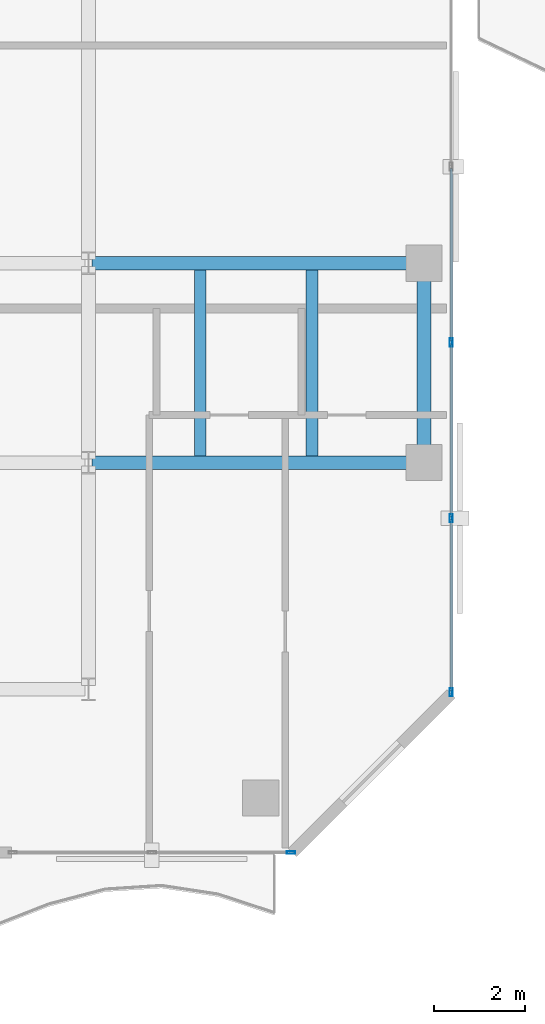
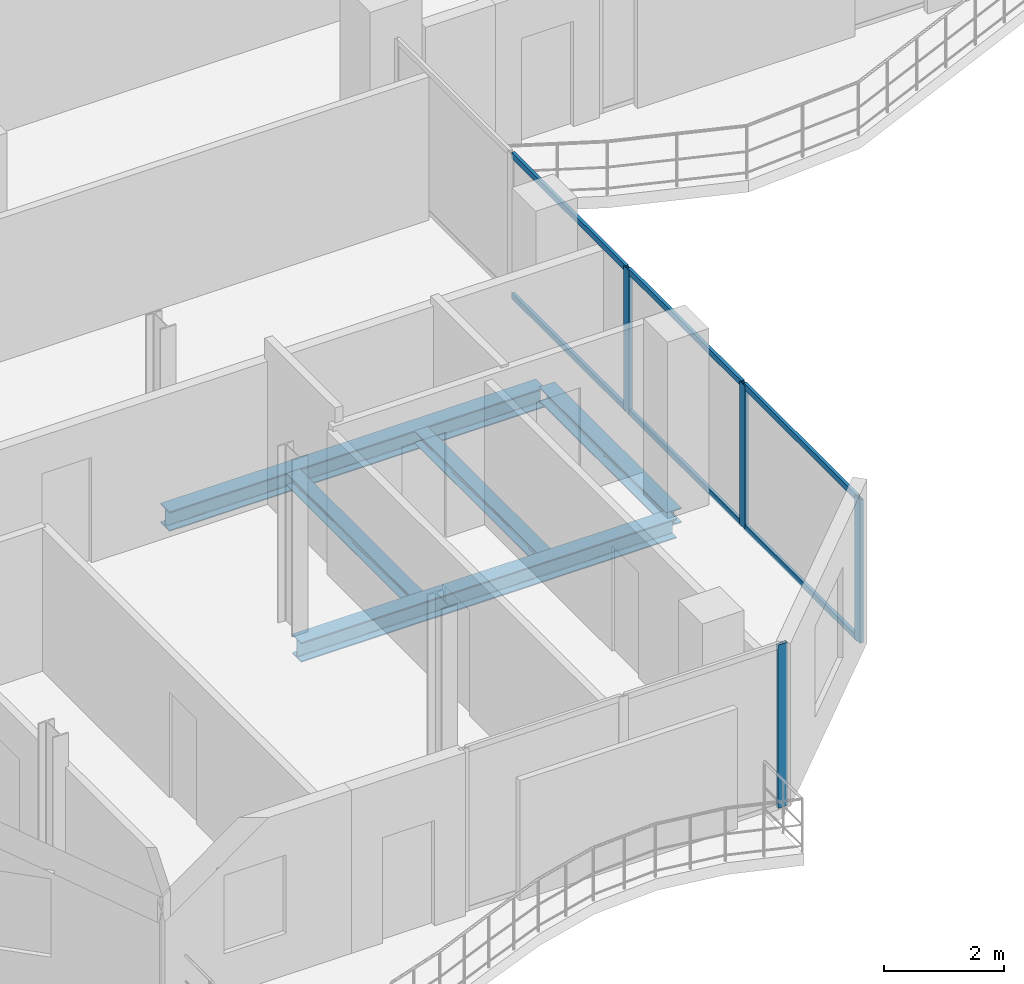
# One storey, part 6 of 23: 10 members, 5 beams, 2 elements without a shape of their own.
"""IFC4 building model written with IfcOpenShell, lengths in metres."""

import ifcopenshell
import ifcopenshell.guid

model = None  # the IFC model being written
_history = None  # IfcOwnerHistory: only IFC2X3 demands one
_inside = {}  # id of a spatial element -> (the spatial element, [elements in it])
_under = {}  # id of a project, library or spatial element -> (it, [spatial elements below it])
_declared = {}  # id of a project -> (the project, [libraries it declares])
_typed = {}  # id of a type object -> (the type object, [elements of that type])
_made_of = {}  # id of a material, layer set ... -> (it, [elements and type objects made of it])


def new_model(schema):
    """Start an empty IFC model of exactly this schema.

    Asked for "IFC4X3", IfcOpenShell would pick the latest addendum, in which some entities
    have other attributes; the version numbers below select the first issue.
    IFC2X3 requires an IfcOwnerHistory on every rooted entity: one is made here for all.
    """
    global model, _history
    if schema == "IFC4X3":
        model = ifcopenshell.file(schema_version=(4, 3, 0, 0))
    else:
        model = ifcopenshell.file(schema=schema)
    _inside.clear()
    _under.clear()
    _declared.clear()
    _typed.clear()
    _made_of.clear()
    _history = None
    if model.schema == "IFC2X3":
        org = make("IfcOrganization", Name="unknown")
        user = make(
            "IfcPersonAndOrganization",
            ThePerson=make("IfcPerson", FamilyName="unknown"),
            TheOrganization=org,
        )
        app = make(
            "IfcApplication",
            ApplicationDeveloper=org,
            Version="unknown",
            ApplicationFullName="unknown",
            ApplicationIdentifier="unknown",
        )
        _history = make(
            "IfcOwnerHistory",
            OwningUser=user,
            OwningApplication=app,
            ChangeAction="ADDED",
            CreationDate=0,
        )
    return model


def make(cls, **values):
    """One entity of the class cls with the attributes given. An attribute that is None is left unset."""
    return model.create_entity(
        cls, **{name: value for name, value in values.items() if value is not None}
    )


def rooted(cls, **values):
    """An entity with a GlobalId (a new one), such as an element, a storey or a relation."""
    return make(cls, GlobalId=ifcopenshell.guid.new(), OwnerHistory=_history, **values)


def si_unit(unit_type, name, prefix=None):
    """IfcSIUnit, for example si_unit("LENGTHUNIT", "METRE", prefix="MILLI")."""
    return make("IfcSIUnit", UnitType=unit_type, Prefix=prefix, Name=name)


def assignment(units):
    """IfcUnitAssignment: the units of a project."""
    return None if units is None else make("IfcUnitAssignment", Units=units)


def point(xyz):
    """IfcCartesianPoint."""
    return None if xyz is None else make("IfcCartesianPoint", Coordinates=xyz)


def direction(xyz):
    """IfcDirection."""
    return None if xyz is None else make("IfcDirection", DirectionRatios=xyz)


def frame(location, z_axis=None, x_axis=None):
    """IfcAxis2Placement3D, a coordinate frame: its origin and axes. An axis left out is left unset."""
    return make(
        "IfcAxis2Placement3D",
        Location=point(location),
        Axis=direction(z_axis),
        RefDirection=direction(x_axis),
    )


def frame_2d(location, x_axis=None):
    """IfcAxis2Placement2D, a coordinate frame in the plane: its origin and x axis."""
    return make(
        "IfcAxis2Placement2D", Location=point(location), RefDirection=direction(x_axis)
    )


def origin():
    """The frame at (0, 0, 0) with its axes left unset."""
    return frame((0.0, 0.0, 0.0))


def origin_2d():
    """The frame at (0, 0) in the plane with its x axis left unset."""
    return frame_2d((0.0, 0.0))


def place(relative_to, where):
    """IfcLocalPlacement: puts the frame where relative to a parent placement (None: the world)."""
    return make(
        "IfcLocalPlacement", PlacementRelTo=relative_to, RelativePlacement=where
    )


def context(
    kind, dimensions, precision=None, world=None, true_north=None, identifier=None
):
    """IfcGeometricRepresentationContext, for example the 3D "Model" context."""
    return make(
        "IfcGeometricRepresentationContext",
        ContextIdentifier=identifier,
        ContextType=kind,
        CoordinateSpaceDimension=dimensions,
        Precision=precision,
        WorldCoordinateSystem=world,
        TrueNorth=true_north,
    )


def subcontext(parent, identifier, kind, view, scale=None):
    """IfcGeometricRepresentationSubContext, for example "Body" below "Model"."""
    return make(
        "IfcGeometricRepresentationSubContext",
        ContextIdentifier=identifier,
        ContextType=kind,
        ParentContext=parent,
        TargetScale=scale,
        TargetView=view,
    )


def project(units=None, contexts=None):
    """IfcProject with its units and contexts."""
    return rooted(
        "IfcProject",
        Name="project",
        RepresentationContexts=contexts,
        UnitsInContext=assignment(units),
    )


def spatial(cls, under=None, at=None, **own):
    """A site, building, storey or space (cls), placed at a placement, below another one or the project."""
    s = rooted(cls, ObjectPlacement=at, **own)
    if under is not None:
        _under.setdefault(under.id(), (under, []))[1].append(s)
    return s


def profile(cls, at=None, kind="AREA", **sizes):
    """A parametric profile (cls). Its sizes go by their IFC names, for example OverallWidth=200.0."""
    return make(cls, ProfileType=kind, Position=at, **sizes)


def hollow_rectangle(**sizes):
    """IfcRectangleHollowProfileDef."""
    return profile("IfcRectangleHollowProfileDef", **sizes)


def i_section(**sizes):
    """IfcIShapeProfileDef."""
    return profile("IfcIShapeProfileDef", **sizes)


def extrude(swept, where, along, depth):
    """IfcExtrudedAreaSolid: the profile swept, set in the frame where, extruded along a direction by depth."""
    return make(
        "IfcExtrudedAreaSolid",
        SweptArea=swept,
        Position=where,
        ExtrudedDirection=direction(along),
        Depth=depth,
    )


def shape(context_of_items, identifier, shape_type, items):
    """IfcShapeRepresentation: the items that make up one representation, for example the "Body"."""
    return make(
        "IfcShapeRepresentation",
        ContextOfItems=context_of_items,
        RepresentationIdentifier=identifier,
        RepresentationType=shape_type,
        Items=items,
    )


def material(Name=None, Category=None):
    """IfcMaterial."""
    return make("IfcMaterial", Name=Name, Category=Category)


def layer(
    of_material, thickness, ventilated=None, Name=None, Category=None, Priority=None
):
    """IfcMaterialLayer: one layer of a wall or slab, of a material (None: an air gap)."""
    return make(
        "IfcMaterialLayer",
        Material=of_material,
        LayerThickness=thickness,
        IsVentilated=ventilated,
        Name=Name,
        Category=Category,
        Priority=Priority,
    )


def layer_set(layers, Name=None):
    """IfcMaterialLayerSet."""
    return make("IfcMaterialLayerSet", MaterialLayers=layers, LayerSetName=Name)


def material_profile(
    of_material, cross_section, Name=None, Category=None, Priority=None
):
    """IfcMaterialProfile: a cross section and its material."""
    return make(
        "IfcMaterialProfile",
        Name=Name,
        Material=of_material,
        Profile=cross_section,
        Priority=Priority,
        Category=Category,
    )


def profile_set(profiles, Name=None, composite=None):
    """IfcMaterialProfileSet."""
    return make(
        "IfcMaterialProfileSet",
        Name=Name,
        MaterialProfiles=profiles,
        CompositeProfile=composite,
    )


def made_of(thing, what):
    """Note that an element or type object is made of a material, layer set ...; save() writes the relation."""
    if what is not None:
        _made_of.setdefault(what.id(), (what, []))[1].append(thing)
    return thing


def type_object(cls, material=None, **own):
    """A type object (cls), such as IfcWallType, which elements share."""
    return made_of(rooted(cls, **own), material)


def element(
    cls,
    number,
    at=None,
    inside=None,
    cuts=None,
    type_object=None,
    material=None,
    context=None,
    identifier="Body",
    shape_type=None,
    held_by="IfcProductDefinitionShape",
    body=None,
    shapes=None,
    **own,
):
    """One element of the class cls, such as IfcWall. Its Tag is "e" and its number.

    at: its placement. inside: the storey or other place that contains it. cuts: it is an
    opening in that element (IfcRelVoidsElement). A single representation is given by context,
    identifier, shape_type and body (its items); several are given by shapes. held_by: the class
    of the entity that holds the representations. save() writes the other relations.
    """
    e = rooted(cls, Tag="e%d" % number, ObjectPlacement=at, **own)
    if body is not None:
        shapes = [shape(context, identifier, shape_type, body)]
    if shapes is not None:
        e.Representation = make(held_by, Representations=shapes)
    if inside is not None:
        _inside.setdefault(inside.id(), (inside, []))[1].append(e)
    if cuts is not None:
        rooted(
            "IfcRelVoidsElement", RelatingBuildingElement=cuts, RelatedOpeningElement=e
        )
    if type_object is not None:
        _typed.setdefault(type_object.id(), (type_object, []))[1].append(e)
    return made_of(e, material)


def aggregate(whole, parts):
    """IfcRelAggregates: a whole, such as a stair, and the parts it consists of."""
    return rooted("IfcRelAggregates", RelatingObject=whole, RelatedObjects=parts)


def save(model, path):
    """Write the relations noted so far, then the file.

    IfcRelAggregates (storeys below a building ...), IfcRelContainedInSpatialStructure (elements
    in a storey), IfcRelDefinesByType, IfcRelAssociatesMaterial and IfcRelDeclares: one each for
    every whole, place, type object, material and project.
    """
    for whole, parts in _under.values():
        aggregate(whole, parts)
    for where, things in _inside.values():
        rooted(
            "IfcRelContainedInSpatialStructure",
            RelatedElements=things,
            RelatingStructure=where,
        )
    for kind, things in _typed.values():
        rooted("IfcRelDefinesByType", RelatedObjects=things, RelatingType=kind)
    for what, things in _made_of.values():
        rooted("IfcRelAssociatesMaterial", RelatedObjects=things, RelatingMaterial=what)
    for by, libraries in _declared.values():
        rooted("IfcRelDeclares", RelatingContext=by, RelatedDefinitions=libraries)
    model.write(path)


model = new_model("IFC4")

# Units and contexts
model_context = context("Model", 3, precision=1e-05, world=origin(), true_north=direction((0.0, 1.0)))
body_context = subcontext(model_context, "Body", "Model", "MODEL_VIEW")
ifc_project = project(units=[si_unit("LENGTHUNIT", "METRE"), si_unit("AREAUNIT", "SQUARE_METRE"), si_unit("VOLUMEUNIT", "CUBIC_METRE"), si_unit("PLANEANGLEUNIT", "RADIAN"), si_unit("MASSUNIT", "GRAM", prefix="KILO")], contexts=[model_context])

# Site, building, storey
site_placement = place(None, origin())
site = spatial("IfcSite", under=ifc_project, at=site_placement, CompositionType="ELEMENT")
building_placement = place(site_placement, origin())
building = spatial("IfcBuilding", under=site, at=building_placement, Name="Catumbela Crestline Tower", CompositionType="ELEMENT")
storey_placement = place(building_placement, frame((0.0, 0.0, 186.6)))
storey = spatial("IfcBuildingStorey", under=building, at=storey_placement, Name="L48", CompositionType="ELEMENT", Elevation=186.6)

# Beams
ifc_material_1 = material(Name="Structural steel S355J2", Category="steel")
ifc_material_profile_1 = material_profile(ifc_material_1, i_section(OverallWidth=0.3, OverallDepth=0.4, WebThickness=0.0135, FlangeThickness=0.024, FilletRadius=0.027, at=origin_2d()), Name="HEB 400")
ifc_profile_set_1 = profile_set([ifc_material_profile_1], Name="Structural steel S355J2")
beam_type_1 = type_object("IfcBeamType", Name="BG-HEB400", PredefinedType="BEAM", material=ifc_profile_set_1)
for number, where, z_axis, x_axis, name in (
    (1, (16.08, 13.6, -0.46), (1.0, 0.0, 0.0), (0.0, 1.0, 0.0), "L48 Beam BM-L48-WEW34"),
    (2, (16.08, 18.0, -0.46), (1.0, 0.0, 0.0), (0.0, 1.0, 0.0), "L48 Beam BM-L48-WEW36"),
):
    element("IfcBeam", number, at=place(storey_placement, frame(where, z_axis=z_axis, x_axis=x_axis)), inside=storey, type_object=beam_type_1, Name=name, PredefinedType="BEAM", context=body_context, shape_type="SweptSolid", body=[
        extrude(i_section(OverallWidth=0.3, OverallDepth=0.4, WebThickness=0.0135, FlangeThickness=0.024, FilletRadius=0.027, at=origin_2d()), origin(), (0.0, 0.0, 1.0), 7.24),
    ])
ifc_material_profile_2 = material_profile(ifc_material_1, i_section(OverallWidth=0.26, OverallDepth=0.25, WebThickness=0.0075, FlangeThickness=0.0125, FilletRadius=0.024, at=origin_2d()), Name="HEA 260")
ifc_profile_set_2 = profile_set([ifc_material_profile_2], Name="Structural steel S355J2")
beam_type_2 = type_object("IfcBeamType", Name="BJ-HEA260", PredefinedType="JOIST", material=ifc_profile_set_2)
for number, where, z_axis, x_axis, name in (
    (3, (18.467, 13.747, -0.385), (0.0, 1.0, 0.0), (-1.0, 0.0, 0.0), "L48 Joist JS-L48-WG48"),
    (4, (20.933, 13.747, -0.385), (0.0, 1.0, 0.0), (-1.0, 0.0, 0.0), "L48 Joist JS-L48-WG49"),
):
    element("IfcBeam", number, at=place(storey_placement, frame(where, z_axis=z_axis, x_axis=x_axis)), inside=storey, type_object=beam_type_2, Name=name, PredefinedType="JOIST", context=body_context, shape_type="SweptSolid", body=[
        extrude(i_section(OverallWidth=0.26, OverallDepth=0.25, WebThickness=0.0075, FlangeThickness=0.0125, FilletRadius=0.024, at=origin_2d()), origin(), (0.0, 0.0, 1.0), 4.106),
    ])

# Curtain wall, member
ifc_material_2 = material(Name="Aluminium alloy AW-6060-T66", Category="aluminium")
ifc_layer = layer(ifc_material_2, 0.18, Name="Aluminium alloy AW-6060-T66")
ifc_layer_set = layer_set([ifc_layer], Name="Aluminium alloy AW-6060-T66")
curtain_wall_type = type_object("IfcCurtainWallType", Name="CWU-Z3", PredefinedType="USERDEFINED", material=ifc_layer_set)
curtain_wall_1_placement = place(storey_placement, origin())
curtain_wall_1 = element("IfcCurtainWall", 5, at=curtain_wall_1_placement, inside=storey, type_object=curtain_wall_type, Name="L48 Unitised Curtain Wall CW-L48-E0S2", ObjectType="UNITISED", PredefinedType="USERDEFINED")
ifc_material_profile_3 = material_profile(ifc_material_2, hollow_rectangle(XDim=0.065, YDim=0.18, WallThickness=0.004, at=origin_2d()), Name="ALU 180x65x4")
ifc_profile_set_3 = profile_set([ifc_material_profile_3], Name="Aluminium alloy AW-6060-T66")
member_type_1 = type_object("IfcMemberType", Name="MUL-180X65", PredefinedType="MULLION", material=ifc_profile_set_3)
member_1_placement = place(storey_placement, frame((20.4675, 5.0, 0.0), z_axis=(0.0, 0.0, 1.0), x_axis=(0.0, 1.0, 0.0)))
member_1 = element("IfcMember", 6, at=member_1_placement, type_object=member_type_1, Name="CWU-Z3 mullion 3", PredefinedType="MULLION", context=body_context, shape_type="SweptSolid", body=[
    extrude(hollow_rectangle(XDim=0.065, YDim=0.18, WallThickness=0.004, at=origin_2d()), origin(), (0.0, 0.0, 1.0), 3.33),
])
aggregate(curtain_wall_1, [member_1])

# Curtain wall, members
curtain_wall_2_placement = place(storey_placement, origin())
curtain_wall_2 = element("IfcCurtainWall", 7, at=curtain_wall_2_placement, inside=storey, type_object=curtain_wall_type, Name="L48 Unitised Curtain Wall CW-L48-E2S1", ObjectType="UNITISED", PredefinedType="USERDEFINED")
member_2_placement = place(storey_placement, frame((24.0, 8.5325, 0.0), z_axis=(0.0, 0.0, 1.0), x_axis=(-1.0, 0.0, 0.0)))
member_2 = element("IfcMember", 8, at=member_2_placement, type_object=member_type_1, Name="CWU-Z3 mullion 1", PredefinedType="MULLION", context=body_context, shape_type="SweptSolid", body=[
    extrude(hollow_rectangle(XDim=0.065, YDim=0.18, WallThickness=0.004, at=origin_2d()), origin(), (0.0, 0.0, 1.0), 2.92),
])
member_3_placement = place(storey_placement, frame((24.0, 12.375, 0.0), z_axis=(0.0, 0.0, 1.0), x_axis=(-1.0, 0.0, 0.0)))
member_3 = element("IfcMember", 9, at=member_3_placement, type_object=member_type_1, Name="CWU-Z3 mullion 2", PredefinedType="MULLION", context=body_context, shape_type="SweptSolid", body=[
    extrude(hollow_rectangle(XDim=0.065, YDim=0.18, WallThickness=0.004, at=origin_2d()), origin(), (0.0, 0.0, 1.0), 2.92),
])
member_4_placement = place(storey_placement, frame((24.0, 16.25, 0.0), z_axis=(0.0, 0.0, 1.0), x_axis=(-1.0, 0.0, 0.0)))
member_4 = element("IfcMember", 10, at=member_4_placement, type_object=member_type_1, Name="CWU-Z3 mullion 3", PredefinedType="MULLION", context=body_context, shape_type="SweptSolid", body=[
    extrude(hollow_rectangle(XDim=0.065, YDim=0.18, WallThickness=0.004, at=origin_2d()), origin(), (0.0, 0.0, 1.0), 2.92),
])

# Beam
ifc_material_profile_4 = material_profile(ifc_material_1, i_section(OverallWidth=0.3, OverallDepth=0.3, WebThickness=0.011, FlangeThickness=0.019, FilletRadius=0.027, at=origin_2d()), Name="HEB 300")
ifc_profile_set_4 = profile_set([ifc_material_profile_4], Name="Structural steel S355J2")
beam_type_3 = type_object("IfcBeamType", Name="BS-HEB300", PredefinedType="SPANDREL", material=ifc_profile_set_4)
beam_placement = place(storey_placement, frame((23.4, 13.68, -0.41), z_axis=(0.0, 1.0, 0.0), x_axis=(-1.0, 0.0, 0.0)))
element("IfcBeam", 11, at=beam_placement, inside=storey, type_object=beam_type_3, Name="L48 Spandrel SP-L48-WNS43", PredefinedType="SPANDREL", context=body_context, shape_type="SweptSolid", body=[
    extrude(i_section(OverallWidth=0.3, OverallDepth=0.3, WebThickness=0.011, FlangeThickness=0.019, FilletRadius=0.027, at=origin_2d()), origin(), (0.0, 0.0, 1.0), 4.24),
])

# Member
ifc_material_profile_5 = material_profile(ifc_material_2, hollow_rectangle(XDim=0.06, YDim=0.12, WallThickness=0.0035, at=origin_2d()), Name="ALU 120x60x3.5")
ifc_profile_set_5 = profile_set([ifc_material_profile_5], Name="Aluminium alloy AW-6060-T66")
member_type_2 = type_object("IfcMemberType", Name="TRN-120X60", PredefinedType="USERDEFINED", material=ifc_profile_set_5)
member_5_placement = place(storey_placement, frame((24.0, 8.565, 0.03), z_axis=(0.0, 1.0, 0.0), x_axis=(-1.0, 0.0, 0.0)))
member_5 = element("IfcMember", 12, at=member_5_placement, type_object=member_type_2, Name="CWU-Z3 transom 1.1", ObjectType="TRANSOM", PredefinedType="USERDEFINED", context=body_context, shape_type="SweptSolid", body=[
    extrude(hollow_rectangle(XDim=0.06, YDim=0.12, WallThickness=0.0035, at=origin_2d()), origin(), (0.0, 0.0, 1.0), 3.7775),
])

member_6_placement = place(storey_placement, frame((24.0, 8.565, 2.89), z_axis=(0.0, 1.0, 0.0), x_axis=(-1.0, 0.0, 0.0)))
member_6 = element("IfcMember", 13, at=member_6_placement, type_object=member_type_2, Name="CWU-Z3 transom 1.2", ObjectType="TRANSOM", PredefinedType="USERDEFINED", context=body_context, shape_type="SweptSolid", body=[
    extrude(hollow_rectangle(XDim=0.06, YDim=0.12, WallThickness=0.0035, at=origin_2d()), origin(), (0.0, 0.0, 1.0), 3.7775),
])

member_7_placement = place(storey_placement, frame((24.0, 12.4075, 0.03), z_axis=(0.0, 1.0, 0.0), x_axis=(-1.0, 0.0, 0.0)))
member_7 = element("IfcMember", 14, at=member_7_placement, type_object=member_type_2, Name="CWU-Z3 transom 2.1", ObjectType="TRANSOM", PredefinedType="USERDEFINED", context=body_context, shape_type="SweptSolid", body=[
    extrude(hollow_rectangle(XDim=0.06, YDim=0.12, WallThickness=0.0035, at=origin_2d()), origin(), (0.0, 0.0, 1.0), 3.81),
])

member_8_placement = place(storey_placement, frame((24.0, 12.4075, 2.89), z_axis=(0.0, 1.0, 0.0), x_axis=(-1.0, 0.0, 0.0)))
member_8 = element("IfcMember", 15, at=member_8_placement, type_object=member_type_2, Name="CWU-Z3 transom 2.2", ObjectType="TRANSOM", PredefinedType="USERDEFINED", context=body_context, shape_type="SweptSolid", body=[
    extrude(hollow_rectangle(XDim=0.06, YDim=0.12, WallThickness=0.0035, at=origin_2d()), origin(), (0.0, 0.0, 1.0), 3.81),
])

member_9_placement = place(storey_placement, frame((24.0, 16.2825, 0.03), z_axis=(0.0, 1.0, 0.0), x_axis=(-1.0, 0.0, 0.0)))
member_9 = element("IfcMember", 16, at=member_9_placement, type_object=member_type_2, Name="CWU-Z3 transom 3.1", ObjectType="TRANSOM", PredefinedType="USERDEFINED", context=body_context, shape_type="SweptSolid", body=[
    extrude(hollow_rectangle(XDim=0.06, YDim=0.12, WallThickness=0.0035, at=origin_2d()), origin(), (0.0, 0.0, 1.0), 3.81),
])

member_10_placement = place(storey_placement, frame((24.0, 16.2825, 2.89), z_axis=(0.0, 1.0, 0.0), x_axis=(-1.0, 0.0, 0.0)))
member_10 = element("IfcMember", 17, at=member_10_placement, type_object=member_type_2, Name="CWU-Z3 transom 3.2", ObjectType="TRANSOM", PredefinedType="USERDEFINED", context=body_context, shape_type="SweptSolid", body=[
    extrude(hollow_rectangle(XDim=0.06, YDim=0.12, WallThickness=0.0035, at=origin_2d()), origin(), (0.0, 0.0, 1.0), 3.81),
])

aggregate(curtain_wall_2, [member_2, member_3, member_4, member_5, member_6, member_7, member_8, member_9, member_10])

save(model, "model.ifc")
